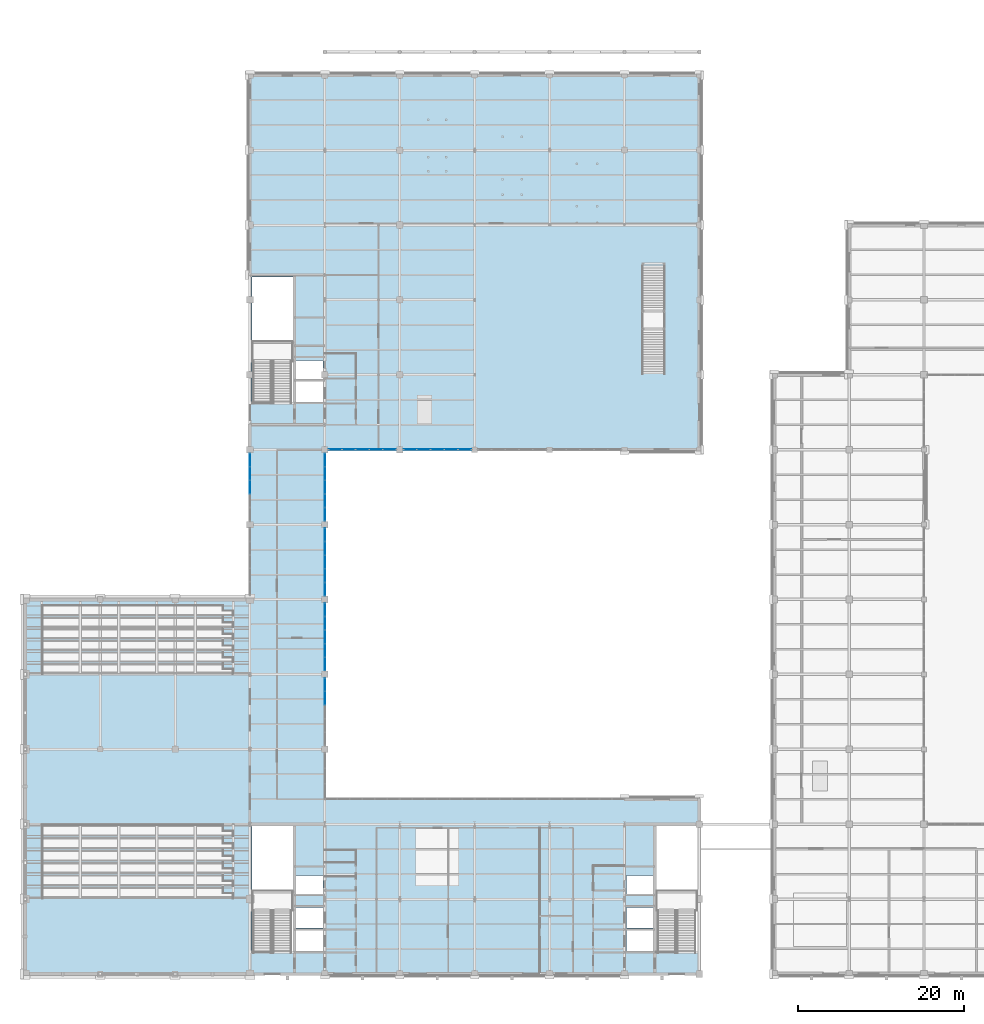
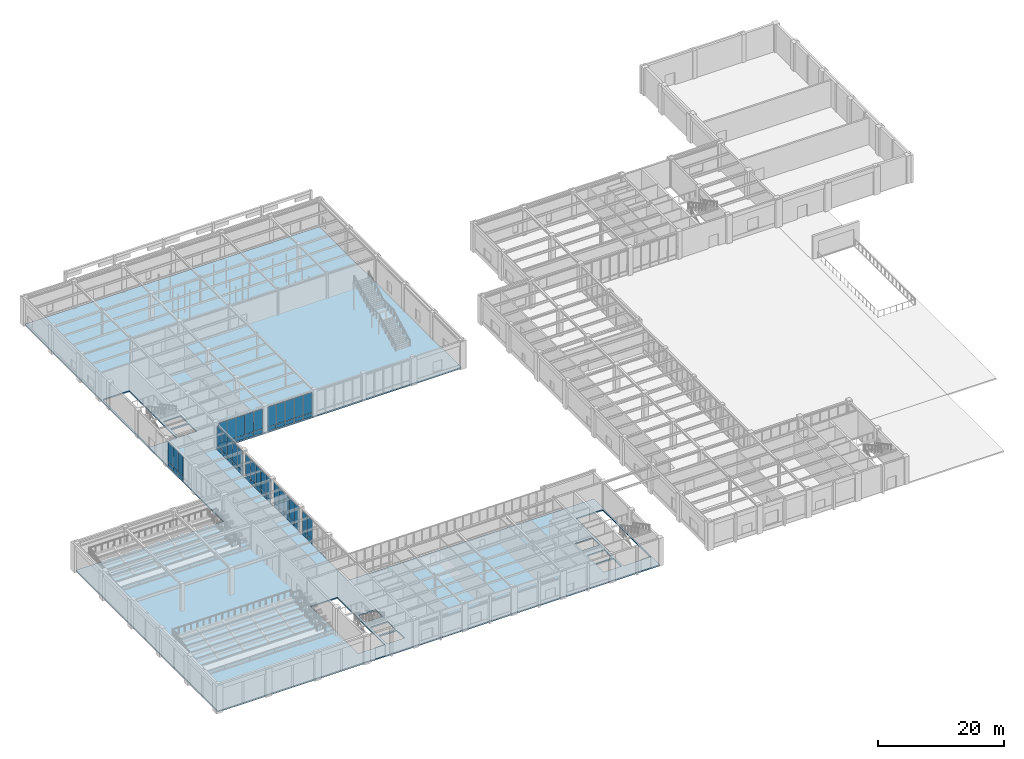
# One storey, part 53 of 77: 60 plates, 1 slab, 8 openings, 7 elements without a shape of their own.
"""IFC4 building model written with IfcOpenShell, lengths in metres."""

from ifc_helpers import new_model, si_unit, direction, frame, origin, origin_2d, place, context, subcontext, project, spatial, polyline, rectangle, outline, extrude, material, layer, layer_set, type_object, element, aggregate, save


model = new_model("IFC4")

# Units and contexts
model_context = context("Model", 3, precision=1e-05, world=origin(), true_north=direction((0.0, 1.0)))
body_context = subcontext(model_context, "Body", "Model", "MODEL_VIEW")
ifc_project = project(units=[si_unit("LENGTHUNIT", "METRE"), si_unit("AREAUNIT", "SQUARE_METRE"), si_unit("VOLUMEUNIT", "CUBIC_METRE"), si_unit("PLANEANGLEUNIT", "RADIAN"), si_unit("MASSUNIT", "GRAM", prefix="KILO")], contexts=[model_context])

# Site, building, storey
site_placement = place(None, origin())
site = spatial("IfcSite", under=ifc_project, at=site_placement, CompositionType="ELEMENT")
building_placement = place(site_placement, origin())
building = spatial("IfcBuilding", under=site, at=building_placement, Name="Lykobir Media Centre", CompositionType="ELEMENT")
storey_placement = place(building_placement, origin())
storey = spatial("IfcBuildingStorey", under=building, at=storey_placement, Name="L00", CompositionType="ELEMENT", Elevation=0.0)

# Curtain wall, plates
ifc_material_1 = material(Name="Anodized Aluminium AW-6060", Category="aluminium")
curtain_wall_type = type_object("IfcCurtainWallType", Name="CW-COURT-A", PredefinedType="NOTDEFINED", material=ifc_material_1)
curtain_wall_1_placement = place(storey_placement, origin())
curtain_wall_1 = element("IfcCurtainWall", 1, at=curtain_wall_1_placement, inside=storey, type_object=curtain_wall_type, Name="Curtain wall CW2-L00-0015", PredefinedType="NOTDEFINED")
ifc_material_2 = material(Name="Low-E Laminated Triple Glazing", Category="glass")
ifc_layer_1 = layer(ifc_material_2, 0.0380859375, Name="Low-E Laminated Triple Glazing")
ifc_layer_set_1 = layer_set([ifc_layer_1], Name="Low-E Laminated Triple Glazing")
plate_type_1 = type_object("IfcPlateType", Name="CWP-GLZ-38", PredefinedType="CURTAIN_PANEL", material=ifc_layer_set_1)
plate_1_placement = place(storey_placement, frame((36.0, 34.759765625, 0.882568359375), z_axis=(0.0, 0.0, 1.0), x_axis=(0.0, -1.0, 0.0)))
plate_1 = element("IfcPlate", 2, at=plate_1_placement, type_object=plate_type_1, Name="CW2-L00-0015 panel 1.2", PredefinedType="CURTAIN_PANEL", context=body_context, shape_type="SweptSolid", body=[
    extrude(rectangle(XDim=1.54052734375, YDim=0.0380859375, at=origin_2d()), origin(), (0.0, 0.0, 1.0), 3.8076171875),
])
plate_2_placement = place(storey_placement, frame((36.0, 33.137939453125, 0.882568359375), z_axis=(0.0, 0.0, 1.0), x_axis=(0.0, -1.0, 0.0)))
plate_2 = element("IfcPlate", 3, at=plate_2_placement, type_object=plate_type_1, Name="CW2-L00-0015 panel 2.2", PredefinedType="CURTAIN_PANEL", context=body_context, shape_type="SweptSolid", body=[
    extrude(rectangle(XDim=1.572998046875, YDim=0.0380859375, at=origin_2d()), origin(), (0.0, 0.0, 1.0), 3.8076171875),
])

curtain_wall_2_placement = place(storey_placement, origin())
curtain_wall_2 = element("IfcCurtainWall", 4, at=curtain_wall_2_placement, inside=storey, type_object=curtain_wall_type, Name="Curtain wall CW2-L00-0016", PredefinedType="NOTDEFINED")
plate_3_placement = place(storey_placement, frame((36.0, 43.759765625, 0.882568359375), z_axis=(0.0, 0.0, 1.0), x_axis=(0.0, -1.0, 0.0)))
plate_3 = element("IfcPlate", 5, at=plate_3_placement, type_object=plate_type_1, Name="CW2-L00-0016 panel 1.2", PredefinedType="CURTAIN_PANEL", context=body_context, shape_type="SweptSolid", body=[
    extrude(rectangle(XDim=1.54052734375, YDim=0.0380859375, at=origin_2d()), origin(), (0.0, 0.0, 1.0), 3.8076171875),
])
plate_4_placement = place(storey_placement, frame((36.0, 42.137939453125, 0.882568359375), z_axis=(0.0, 0.0, 1.0), x_axis=(0.0, -1.0, 0.0)))
plate_4 = element("IfcPlate", 6, at=plate_4_placement, type_object=plate_type_1, Name="CW2-L00-0016 panel 2.2", PredefinedType="CURTAIN_PANEL", context=body_context, shape_type="SweptSolid", body=[
    extrude(rectangle(XDim=1.572998046875, YDim=0.0380859375, at=origin_2d()), origin(), (0.0, 0.0, 1.0), 3.8076171875),
])
plate_5_placement = place(storey_placement, frame((36.0, 40.5, 0.882568359375), z_axis=(0.0, 0.0, 1.0), x_axis=(0.0, -1.0, 0.0)))
plate_5 = element("IfcPlate", 7, at=plate_5_placement, type_object=plate_type_1, Name="CW2-L00-0016 panel 3.2", PredefinedType="CURTAIN_PANEL", context=body_context, shape_type="SweptSolid", body=[
    extrude(rectangle(XDim=1.572998046875, YDim=0.0380859375, at=origin_2d()), origin(), (0.0, 0.0, 1.0), 3.8076171875),
])
plate_6_placement = place(storey_placement, frame((36.0, 38.862060546875, 0.882568359375), z_axis=(0.0, 0.0, 1.0), x_axis=(0.0, -1.0, 0.0)))
plate_6 = element("IfcPlate", 8, at=plate_6_placement, type_object=plate_type_1, Name="CW2-L00-0016 panel 4.2", PredefinedType="CURTAIN_PANEL", context=body_context, shape_type="SweptSolid", body=[
    extrude(rectangle(XDim=1.572998046875, YDim=0.0380859375, at=origin_2d()), origin(), (0.0, 0.0, 1.0), 3.8076171875),
])
plate_7_placement = place(storey_placement, frame((36.0, 37.240234375, 0.882568359375), z_axis=(0.0, 0.0, 1.0), x_axis=(0.0, -1.0, 0.0)))
plate_7 = element("IfcPlate", 9, at=plate_7_placement, type_object=plate_type_1, Name="CW2-L00-0016 panel 5.2", PredefinedType="CURTAIN_PANEL", context=body_context, shape_type="SweptSolid", body=[
    extrude(rectangle(XDim=1.54052734375, YDim=0.0380859375, at=origin_2d()), origin(), (0.0, 0.0, 1.0), 3.8076171875),
])

curtain_wall_3_placement = place(storey_placement, origin())
curtain_wall_3 = element("IfcCurtainWall", 10, at=curtain_wall_3_placement, inside=storey, type_object=curtain_wall_type, Name="Curtain wall CW2-L00-0017", PredefinedType="NOTDEFINED")
plate_8_placement = place(storey_placement, frame((36.0, 52.759765625, 0.882568359375), z_axis=(0.0, 0.0, 1.0), x_axis=(0.0, -1.0, 0.0)))
plate_8 = element("IfcPlate", 11, at=plate_8_placement, type_object=plate_type_1, Name="CW2-L00-0017 panel 1.2", PredefinedType="CURTAIN_PANEL", context=body_context, shape_type="SweptSolid", body=[
    extrude(rectangle(XDim=1.54052734375, YDim=0.0380859375, at=origin_2d()), origin(), (0.0, 0.0, 1.0), 3.8076171875),
])
plate_9_placement = place(storey_placement, frame((36.0, 51.137939453125, 0.882568359375), z_axis=(0.0, 0.0, 1.0), x_axis=(0.0, -1.0, 0.0)))
plate_9 = element("IfcPlate", 12, at=plate_9_placement, type_object=plate_type_1, Name="CW2-L00-0017 panel 2.2", PredefinedType="CURTAIN_PANEL", context=body_context, shape_type="SweptSolid", body=[
    extrude(rectangle(XDim=1.572998046875, YDim=0.0380859375, at=origin_2d()), origin(), (0.0, 0.0, 1.0), 3.8076171875),
])
plate_10_placement = place(storey_placement, frame((36.0, 49.5, 0.882568359375), z_axis=(0.0, 0.0, 1.0), x_axis=(0.0, -1.0, 0.0)))
plate_10 = element("IfcPlate", 13, at=plate_10_placement, type_object=plate_type_1, Name="CW2-L00-0017 panel 3.2", PredefinedType="CURTAIN_PANEL", context=body_context, shape_type="SweptSolid", body=[
    extrude(rectangle(XDim=1.572998046875, YDim=0.0380859375, at=origin_2d()), origin(), (0.0, 0.0, 1.0), 3.8076171875),
])
plate_11_placement = place(storey_placement, frame((36.0, 47.862060546875, 0.882568359375), z_axis=(0.0, 0.0, 1.0), x_axis=(0.0, -1.0, 0.0)))
plate_11 = element("IfcPlate", 14, at=plate_11_placement, type_object=plate_type_1, Name="CW2-L00-0017 panel 4.2", PredefinedType="CURTAIN_PANEL", context=body_context, shape_type="SweptSolid", body=[
    extrude(rectangle(XDim=1.572998046875, YDim=0.0380859375, at=origin_2d()), origin(), (0.0, 0.0, 1.0), 3.8076171875),
])
plate_12_placement = place(storey_placement, frame((36.0, 46.240234375, 0.882568359375), z_axis=(0.0, 0.0, 1.0), x_axis=(0.0, -1.0, 0.0)))
plate_12 = element("IfcPlate", 15, at=plate_12_placement, type_object=plate_type_1, Name="CW2-L00-0017 panel 5.2", PredefinedType="CURTAIN_PANEL", context=body_context, shape_type="SweptSolid", body=[
    extrude(rectangle(XDim=1.54052734375, YDim=0.0380859375, at=origin_2d()), origin(), (0.0, 0.0, 1.0), 3.8076171875),
])

curtain_wall_4_placement = place(storey_placement, origin())
curtain_wall_4 = element("IfcCurtainWall", 16, at=curtain_wall_4_placement, inside=storey, type_object=curtain_wall_type, Name="Curtain wall CW2-L00-0018", PredefinedType="NOTDEFINED")
plate_13_placement = place(storey_placement, frame((36.0, 61.759765625, 0.882568359375), z_axis=(0.0, 0.0, 1.0), x_axis=(0.0, -1.0, 0.0)))
plate_13 = element("IfcPlate", 17, at=plate_13_placement, type_object=plate_type_1, Name="CW2-L00-0018 panel 1.2", PredefinedType="CURTAIN_PANEL", context=body_context, shape_type="SweptSolid", body=[
    extrude(rectangle(XDim=1.54052734375, YDim=0.0380859375, at=origin_2d()), origin(), (0.0, 0.0, 1.0), 3.8076171875),
])
plate_14_placement = place(storey_placement, frame((36.0, 60.137939453125, 0.882568359375), z_axis=(0.0, 0.0, 1.0), x_axis=(0.0, -1.0, 0.0)))
plate_14 = element("IfcPlate", 18, at=plate_14_placement, type_object=plate_type_1, Name="CW2-L00-0018 panel 2.2", PredefinedType="CURTAIN_PANEL", context=body_context, shape_type="SweptSolid", body=[
    extrude(rectangle(XDim=1.572998046875, YDim=0.0380859375, at=origin_2d()), origin(), (0.0, 0.0, 1.0), 3.8076171875),
])
plate_15_placement = place(storey_placement, frame((36.0, 58.5, 0.882568359375), z_axis=(0.0, 0.0, 1.0), x_axis=(0.0, -1.0, 0.0)))
plate_15 = element("IfcPlate", 19, at=plate_15_placement, type_object=plate_type_1, Name="CW2-L00-0018 panel 3.2", PredefinedType="CURTAIN_PANEL", context=body_context, shape_type="SweptSolid", body=[
    extrude(rectangle(XDim=1.572998046875, YDim=0.0380859375, at=origin_2d()), origin(), (0.0, 0.0, 1.0), 3.8076171875),
])
plate_16_placement = place(storey_placement, frame((36.0, 56.862060546875, 0.882568359375), z_axis=(0.0, 0.0, 1.0), x_axis=(0.0, -1.0, 0.0)))
plate_16 = element("IfcPlate", 20, at=plate_16_placement, type_object=plate_type_1, Name="CW2-L00-0018 panel 4.2", PredefinedType="CURTAIN_PANEL", context=body_context, shape_type="SweptSolid", body=[
    extrude(rectangle(XDim=1.572998046875, YDim=0.0380859375, at=origin_2d()), origin(), (0.0, 0.0, 1.0), 3.8076171875),
])
plate_17_placement = place(storey_placement, frame((36.0, 55.240234375, 0.882568359375), z_axis=(0.0, 0.0, 1.0), x_axis=(0.0, -1.0, 0.0)))
plate_17 = element("IfcPlate", 21, at=plate_17_placement, type_object=plate_type_1, Name="CW2-L00-0018 panel 5.2", PredefinedType="CURTAIN_PANEL", context=body_context, shape_type="SweptSolid", body=[
    extrude(rectangle(XDim=1.54052734375, YDim=0.0380859375, at=origin_2d()), origin(), (0.0, 0.0, 1.0), 3.8076171875),
])

curtain_wall_5_placement = place(storey_placement, origin())
curtain_wall_5 = element("IfcCurtainWall", 22, at=curtain_wall_5_placement, inside=storey, type_object=curtain_wall_type, Name="Curtain wall CW2-L00-0019", PredefinedType="NOTDEFINED")
plate_18_placement = place(storey_placement, frame((43.759765625, 63.0, 0.882568359375), z_axis=(0.0, 0.0, 1.0), x_axis=(-1.0, 0.0, 0.0)))
plate_18 = element("IfcPlate", 23, at=plate_18_placement, type_object=plate_type_1, Name="CW2-L00-0019 panel 1.2", PredefinedType="CURTAIN_PANEL", context=body_context, shape_type="SweptSolid", body=[
    extrude(rectangle(XDim=1.54052734375, YDim=0.0380859375, at=origin_2d()), origin(), (0.0, 0.0, 1.0), 3.847412109375),
])
plate_19_placement = place(storey_placement, frame((42.137939453125, 63.0, 0.882568359375), z_axis=(0.0, 0.0, 1.0), x_axis=(-1.0, 0.0, 0.0)))
plate_19 = element("IfcPlate", 24, at=plate_19_placement, type_object=plate_type_1, Name="CW2-L00-0019 panel 2.2", PredefinedType="CURTAIN_PANEL", context=body_context, shape_type="SweptSolid", body=[
    extrude(rectangle(XDim=1.572998046875, YDim=0.0380859375, at=origin_2d()), origin(), (0.0, 0.0, 1.0), 3.847412109375),
])
plate_20_placement = place(storey_placement, frame((40.5, 63.0, 0.882568359375), z_axis=(0.0, 0.0, 1.0), x_axis=(-1.0, 0.0, 0.0)))
plate_20 = element("IfcPlate", 25, at=plate_20_placement, type_object=plate_type_1, Name="CW2-L00-0019 panel 3.2", PredefinedType="CURTAIN_PANEL", context=body_context, shape_type="SweptSolid", body=[
    extrude(rectangle(XDim=1.572998046875, YDim=0.0380859375, at=origin_2d()), origin(), (0.0, 0.0, 1.0), 3.847412109375),
])
plate_21_placement = place(storey_placement, frame((38.862060546875, 63.0, 0.882568359375), z_axis=(0.0, 0.0, 1.0), x_axis=(-1.0, 0.0, 0.0)))
plate_21 = element("IfcPlate", 26, at=plate_21_placement, type_object=plate_type_1, Name="CW2-L00-0019 panel 4.2", PredefinedType="CURTAIN_PANEL", context=body_context, shape_type="SweptSolid", body=[
    extrude(rectangle(XDim=1.572998046875, YDim=0.0380859375, at=origin_2d()), origin(), (0.0, 0.0, 1.0), 3.847412109375),
])
plate_22_placement = place(storey_placement, frame((37.240234375, 63.0, 0.882568359375), z_axis=(0.0, 0.0, 1.0), x_axis=(-1.0, 0.0, 0.0)))
plate_22 = element("IfcPlate", 27, at=plate_22_placement, type_object=plate_type_1, Name="CW2-L00-0019 panel 5.2", PredefinedType="CURTAIN_PANEL", context=body_context, shape_type="SweptSolid", body=[
    extrude(rectangle(XDim=1.54052734375, YDim=0.0380859375, at=origin_2d()), origin(), (0.0, 0.0, 1.0), 3.847412109375),
])

curtain_wall_6_placement = place(storey_placement, origin())
curtain_wall_6 = element("IfcCurtainWall", 28, at=curtain_wall_6_placement, inside=storey, type_object=curtain_wall_type, Name="Curtain wall CW2-L00-0020", PredefinedType="NOTDEFINED")
plate_23_placement = place(storey_placement, frame((52.8046875, 63.0, 0.882568359375), z_axis=(0.0, 0.0, 1.0), x_axis=(-1.0, 0.0, 0.0)))
plate_23 = element("IfcPlate", 29, at=plate_23_placement, type_object=plate_type_1, Name="CW2-L00-0020 panel 1.2", PredefinedType="CURTAIN_PANEL", context=body_context, shape_type="SweptSolid", body=[
    extrude(rectangle(XDim=1.550537109375, YDim=0.0380859375, at=origin_2d()), origin(), (0.0, 0.0, 1.0), 3.847412109375),
])
plate_24_placement = place(storey_placement, frame((51.173095703125, 63.0, 0.882568359375), z_axis=(0.0, 0.0, 1.0), x_axis=(-1.0, 0.0, 0.0)))
plate_24 = element("IfcPlate", 30, at=plate_24_placement, type_object=plate_type_1, Name="CW2-L00-0020 panel 2.2", PredefinedType="CURTAIN_PANEL", context=body_context, shape_type="SweptSolid", body=[
    extrude(rectangle(XDim=1.5830078125, YDim=0.0380859375, at=origin_2d()), origin(), (0.0, 0.0, 1.0), 3.847412109375),
])
plate_25_placement = place(storey_placement, frame((49.52490234375, 63.0, 0.882568359375), z_axis=(0.0, 0.0, 1.0), x_axis=(-1.0, 0.0, 0.0)))
plate_25 = element("IfcPlate", 31, at=plate_25_placement, type_object=plate_type_1, Name="CW2-L00-0020 panel 3.2", PredefinedType="CURTAIN_PANEL", context=body_context, shape_type="SweptSolid", body=[
    extrude(rectangle(XDim=1.5830078125, YDim=0.0380859375, at=origin_2d()), origin(), (0.0, 0.0, 1.0), 3.847412109375),
])
plate_26_placement = place(storey_placement, frame((47.876953125, 63.0, 0.882568359375), z_axis=(0.0, 0.0, 1.0), x_axis=(-1.0, 0.0, 0.0)))
plate_26 = element("IfcPlate", 32, at=plate_26_placement, type_object=plate_type_1, Name="CW2-L00-0020 panel 4.2", PredefinedType="CURTAIN_PANEL", context=body_context, shape_type="SweptSolid", body=[
    extrude(rectangle(XDim=1.5830078125, YDim=0.0380859375, at=origin_2d()), origin(), (0.0, 0.0, 1.0), 3.847412109375),
])
plate_27_placement = place(storey_placement, frame((46.2451171875, 63.0, 0.882568359375), z_axis=(0.0, 0.0, 1.0), x_axis=(-1.0, 0.0, 0.0)))
plate_27 = element("IfcPlate", 33, at=plate_27_placement, type_object=plate_type_1, Name="CW2-L00-0020 panel 5.2", PredefinedType="CURTAIN_PANEL", context=body_context, shape_type="SweptSolid", body=[
    extrude(rectangle(XDim=1.550537109375, YDim=0.0380859375, at=origin_2d()), origin(), (0.0, 0.0, 1.0), 3.847412109375),
])

curtain_wall_7_placement = place(storey_placement, origin())
curtain_wall_7 = element("IfcCurtainWall", 34, at=curtain_wall_7_placement, inside=storey, type_object=curtain_wall_type, Name="Curtain wall CW2-L00-0024", PredefinedType="NOTDEFINED")
plate_28_placement = place(storey_placement, frame((27.0, 58.5, 0.882568359375), z_axis=(0.0, 0.0, 1.0), x_axis=(0.0, 1.0, 0.0)))
plate_28 = element("IfcPlate", 35, at=plate_28_placement, type_object=plate_type_1, Name="CW2-L00-0024 panel 3.2", PredefinedType="CURTAIN_PANEL", context=body_context, shape_type="SweptSolid", body=[
    extrude(rectangle(XDim=1.572998046875, YDim=0.0380859375, at=origin_2d()), origin(), (0.0, 0.0, 1.0), 3.847412109375),
])
plate_29_placement = place(storey_placement, frame((27.0, 60.137939453125, 0.882568359375), z_axis=(0.0, 0.0, 1.0), x_axis=(0.0, 1.0, 0.0)))
plate_29 = element("IfcPlate", 36, at=plate_29_placement, type_object=plate_type_1, Name="CW2-L00-0024 panel 4.2", PredefinedType="CURTAIN_PANEL", context=body_context, shape_type="SweptSolid", body=[
    extrude(rectangle(XDim=1.572998046875, YDim=0.0380859375, at=origin_2d()), origin(), (0.0, 0.0, 1.0), 3.847412109375),
])
plate_30_placement = place(storey_placement, frame((27.0, 61.759765625, 0.882568359375), z_axis=(0.0, 0.0, 1.0), x_axis=(0.0, 1.0, 0.0)))
plate_30 = element("IfcPlate", 37, at=plate_30_placement, type_object=plate_type_1, Name="CW2-L00-0024 panel 5.2", PredefinedType="CURTAIN_PANEL", context=body_context, shape_type="SweptSolid", body=[
    extrude(rectangle(XDim=1.54052734375, YDim=0.0380859375, at=origin_2d()), origin(), (0.0, 0.0, 1.0), 3.847412109375),
])

# Plate
ifc_material_3 = material(Name="Glazed Turquoise Terracotta", Category="masonry")
ifc_layer_2 = layer(ifc_material_3, 0.06005859375, Name="Glazed Turquoise Terracotta")
ifc_layer_set_2 = layer_set([ifc_layer_2], Name="Glazed Turquoise Terracotta")
plate_type_2 = type_object("IfcPlateType", Name="CWP-SPN-60", PredefinedType="CURTAIN_PANEL", material=ifc_layer_set_2)
plate_31_placement = place(storey_placement, frame((36.0, 34.759765625, 0.06494140625), z_axis=(0.0, 0.0, 1.0), x_axis=(0.0, -1.0, 0.0)))
plate_31 = element("IfcPlate", 38, at=plate_31_placement, type_object=plate_type_2, Name="CW2-L00-0015 panel 1.1", PredefinedType="CURTAIN_PANEL", context=body_context, shape_type="SweptSolid", body=[
    extrude(rectangle(XDim=1.54052734375, YDim=0.06005859375, at=origin_2d()), origin(), (0.0, 0.0, 1.0), 0.75244140625),
])

plate_32_placement = place(storey_placement, frame((36.0, 33.137939453125, 0.06494140625), z_axis=(0.0, 0.0, 1.0), x_axis=(0.0, -1.0, 0.0)))
plate_32 = element("IfcPlate", 39, at=plate_32_placement, type_object=plate_type_2, Name="CW2-L00-0015 panel 2.1", PredefinedType="CURTAIN_PANEL", context=body_context, shape_type="SweptSolid", body=[
    extrude(rectangle(XDim=1.572998046875, YDim=0.06005859375, at=origin_2d()), origin(), (0.0, 0.0, 1.0), 0.75244140625),
])

aggregate(curtain_wall_1, [plate_31, plate_1, plate_32, plate_2])

plate_33_placement = place(storey_placement, frame((36.0, 43.759765625, 0.06494140625), z_axis=(0.0, 0.0, 1.0), x_axis=(0.0, -1.0, 0.0)))
plate_33 = element("IfcPlate", 40, at=plate_33_placement, type_object=plate_type_2, Name="CW2-L00-0016 panel 1.1", PredefinedType="CURTAIN_PANEL", context=body_context, shape_type="SweptSolid", body=[
    extrude(rectangle(XDim=1.54052734375, YDim=0.06005859375, at=origin_2d()), origin(), (0.0, 0.0, 1.0), 0.75244140625),
])

plate_34_placement = place(storey_placement, frame((36.0, 42.137939453125, 0.06494140625), z_axis=(0.0, 0.0, 1.0), x_axis=(0.0, -1.0, 0.0)))
plate_34 = element("IfcPlate", 41, at=plate_34_placement, type_object=plate_type_2, Name="CW2-L00-0016 panel 2.1", PredefinedType="CURTAIN_PANEL", context=body_context, shape_type="SweptSolid", body=[
    extrude(rectangle(XDim=1.572998046875, YDim=0.06005859375, at=origin_2d()), origin(), (0.0, 0.0, 1.0), 0.75244140625),
])

plate_35_placement = place(storey_placement, frame((36.0, 40.5, 0.06494140625), z_axis=(0.0, 0.0, 1.0), x_axis=(0.0, -1.0, 0.0)))
plate_35 = element("IfcPlate", 42, at=plate_35_placement, type_object=plate_type_2, Name="CW2-L00-0016 panel 3.1", PredefinedType="CURTAIN_PANEL", context=body_context, shape_type="SweptSolid", body=[
    extrude(rectangle(XDim=1.572998046875, YDim=0.06005859375, at=origin_2d()), origin(), (0.0, 0.0, 1.0), 0.75244140625),
])

plate_36_placement = place(storey_placement, frame((36.0, 38.862060546875, 0.06494140625), z_axis=(0.0, 0.0, 1.0), x_axis=(0.0, -1.0, 0.0)))
plate_36 = element("IfcPlate", 43, at=plate_36_placement, type_object=plate_type_2, Name="CW2-L00-0016 panel 4.1", PredefinedType="CURTAIN_PANEL", context=body_context, shape_type="SweptSolid", body=[
    extrude(rectangle(XDim=1.572998046875, YDim=0.06005859375, at=origin_2d()), origin(), (0.0, 0.0, 1.0), 0.75244140625),
])

plate_37_placement = place(storey_placement, frame((36.0, 37.240234375, 0.06494140625), z_axis=(0.0, 0.0, 1.0), x_axis=(0.0, -1.0, 0.0)))
plate_37 = element("IfcPlate", 44, at=plate_37_placement, type_object=plate_type_2, Name="CW2-L00-0016 panel 5.1", PredefinedType="CURTAIN_PANEL", context=body_context, shape_type="SweptSolid", body=[
    extrude(rectangle(XDim=1.54052734375, YDim=0.06005859375, at=origin_2d()), origin(), (0.0, 0.0, 1.0), 0.75244140625),
])

aggregate(curtain_wall_2, [plate_33, plate_3, plate_34, plate_4, plate_35, plate_5, plate_36, plate_6, plate_37, plate_7])

plate_38_placement = place(storey_placement, frame((36.0, 52.759765625, 0.06494140625), z_axis=(0.0, 0.0, 1.0), x_axis=(0.0, -1.0, 0.0)))
plate_38 = element("IfcPlate", 45, at=plate_38_placement, type_object=plate_type_2, Name="CW2-L00-0017 panel 1.1", PredefinedType="CURTAIN_PANEL", context=body_context, shape_type="SweptSolid", body=[
    extrude(rectangle(XDim=1.54052734375, YDim=0.06005859375, at=origin_2d()), origin(), (0.0, 0.0, 1.0), 0.75244140625),
])

plate_39_placement = place(storey_placement, frame((36.0, 51.137939453125, 0.06494140625), z_axis=(0.0, 0.0, 1.0), x_axis=(0.0, -1.0, 0.0)))
plate_39 = element("IfcPlate", 46, at=plate_39_placement, type_object=plate_type_2, Name="CW2-L00-0017 panel 2.1", PredefinedType="CURTAIN_PANEL", context=body_context, shape_type="SweptSolid", body=[
    extrude(rectangle(XDim=1.572998046875, YDim=0.06005859375, at=origin_2d()), origin(), (0.0, 0.0, 1.0), 0.75244140625),
])

plate_40_placement = place(storey_placement, frame((36.0, 49.5, 0.06494140625), z_axis=(0.0, 0.0, 1.0), x_axis=(0.0, -1.0, 0.0)))
plate_40 = element("IfcPlate", 47, at=plate_40_placement, type_object=plate_type_2, Name="CW2-L00-0017 panel 3.1", PredefinedType="CURTAIN_PANEL", context=body_context, shape_type="SweptSolid", body=[
    extrude(rectangle(XDim=1.572998046875, YDim=0.06005859375, at=origin_2d()), origin(), (0.0, 0.0, 1.0), 0.75244140625),
])

plate_41_placement = place(storey_placement, frame((36.0, 47.862060546875, 0.06494140625), z_axis=(0.0, 0.0, 1.0), x_axis=(0.0, -1.0, 0.0)))
plate_41 = element("IfcPlate", 48, at=plate_41_placement, type_object=plate_type_2, Name="CW2-L00-0017 panel 4.1", PredefinedType="CURTAIN_PANEL", context=body_context, shape_type="SweptSolid", body=[
    extrude(rectangle(XDim=1.572998046875, YDim=0.06005859375, at=origin_2d()), origin(), (0.0, 0.0, 1.0), 0.75244140625),
])

plate_42_placement = place(storey_placement, frame((36.0, 46.240234375, 0.06494140625), z_axis=(0.0, 0.0, 1.0), x_axis=(0.0, -1.0, 0.0)))
plate_42 = element("IfcPlate", 49, at=plate_42_placement, type_object=plate_type_2, Name="CW2-L00-0017 panel 5.1", PredefinedType="CURTAIN_PANEL", context=body_context, shape_type="SweptSolid", body=[
    extrude(rectangle(XDim=1.54052734375, YDim=0.06005859375, at=origin_2d()), origin(), (0.0, 0.0, 1.0), 0.75244140625),
])

aggregate(curtain_wall_3, [plate_38, plate_8, plate_39, plate_9, plate_40, plate_10, plate_41, plate_11, plate_42, plate_12])

plate_43_placement = place(storey_placement, frame((36.0, 61.759765625, 0.06494140625), z_axis=(0.0, 0.0, 1.0), x_axis=(0.0, -1.0, 0.0)))
plate_43 = element("IfcPlate", 50, at=plate_43_placement, type_object=plate_type_2, Name="CW2-L00-0018 panel 1.1", PredefinedType="CURTAIN_PANEL", context=body_context, shape_type="SweptSolid", body=[
    extrude(rectangle(XDim=1.54052734375, YDim=0.06005859375, at=origin_2d()), origin(), (0.0, 0.0, 1.0), 0.75244140625),
])

plate_44_placement = place(storey_placement, frame((36.0, 60.137939453125, 0.06494140625), z_axis=(0.0, 0.0, 1.0), x_axis=(0.0, -1.0, 0.0)))
plate_44 = element("IfcPlate", 51, at=plate_44_placement, type_object=plate_type_2, Name="CW2-L00-0018 panel 2.1", PredefinedType="CURTAIN_PANEL", context=body_context, shape_type="SweptSolid", body=[
    extrude(rectangle(XDim=1.572998046875, YDim=0.06005859375, at=origin_2d()), origin(), (0.0, 0.0, 1.0), 0.75244140625),
])

plate_45_placement = place(storey_placement, frame((36.0, 58.5, 0.06494140625), z_axis=(0.0, 0.0, 1.0), x_axis=(0.0, -1.0, 0.0)))
plate_45 = element("IfcPlate", 52, at=plate_45_placement, type_object=plate_type_2, Name="CW2-L00-0018 panel 3.1", PredefinedType="CURTAIN_PANEL", context=body_context, shape_type="SweptSolid", body=[
    extrude(rectangle(XDim=1.572998046875, YDim=0.06005859375, at=origin_2d()), origin(), (0.0, 0.0, 1.0), 0.75244140625),
])

plate_46_placement = place(storey_placement, frame((36.0, 56.862060546875, 0.06494140625), z_axis=(0.0, 0.0, 1.0), x_axis=(0.0, -1.0, 0.0)))
plate_46 = element("IfcPlate", 53, at=plate_46_placement, type_object=plate_type_2, Name="CW2-L00-0018 panel 4.1", PredefinedType="CURTAIN_PANEL", context=body_context, shape_type="SweptSolid", body=[
    extrude(rectangle(XDim=1.572998046875, YDim=0.06005859375, at=origin_2d()), origin(), (0.0, 0.0, 1.0), 0.75244140625),
])

plate_47_placement = place(storey_placement, frame((36.0, 55.240234375, 0.06494140625), z_axis=(0.0, 0.0, 1.0), x_axis=(0.0, -1.0, 0.0)))
plate_47 = element("IfcPlate", 54, at=plate_47_placement, type_object=plate_type_2, Name="CW2-L00-0018 panel 5.1", PredefinedType="CURTAIN_PANEL", context=body_context, shape_type="SweptSolid", body=[
    extrude(rectangle(XDim=1.54052734375, YDim=0.06005859375, at=origin_2d()), origin(), (0.0, 0.0, 1.0), 0.75244140625),
])

aggregate(curtain_wall_4, [plate_43, plate_13, plate_44, plate_14, plate_45, plate_15, plate_46, plate_16, plate_47, plate_17])

plate_48_placement = place(storey_placement, frame((43.759765625, 63.0, 0.06494140625), z_axis=(0.0, 0.0, 1.0), x_axis=(-1.0, 0.0, 0.0)))
plate_48 = element("IfcPlate", 55, at=plate_48_placement, type_object=plate_type_2, Name="CW2-L00-0019 panel 1.1", PredefinedType="CURTAIN_PANEL", context=body_context, shape_type="SweptSolid", body=[
    extrude(rectangle(XDim=1.54052734375, YDim=0.06005859375, at=origin_2d()), origin(), (0.0, 0.0, 1.0), 0.75244140625),
])

plate_49_placement = place(storey_placement, frame((42.137939453125, 63.0, 0.06494140625), z_axis=(0.0, 0.0, 1.0), x_axis=(-1.0, 0.0, 0.0)))
plate_49 = element("IfcPlate", 56, at=plate_49_placement, type_object=plate_type_2, Name="CW2-L00-0019 panel 2.1", PredefinedType="CURTAIN_PANEL", context=body_context, shape_type="SweptSolid", body=[
    extrude(rectangle(XDim=1.572998046875, YDim=0.06005859375, at=origin_2d()), origin(), (0.0, 0.0, 1.0), 0.75244140625),
])

plate_50_placement = place(storey_placement, frame((40.5, 63.0, 0.06494140625), z_axis=(0.0, 0.0, 1.0), x_axis=(-1.0, 0.0, 0.0)))
plate_50 = element("IfcPlate", 57, at=plate_50_placement, type_object=plate_type_2, Name="CW2-L00-0019 panel 3.1", PredefinedType="CURTAIN_PANEL", context=body_context, shape_type="SweptSolid", body=[
    extrude(rectangle(XDim=1.572998046875, YDim=0.06005859375, at=origin_2d()), origin(), (0.0, 0.0, 1.0), 0.75244140625),
])

plate_51_placement = place(storey_placement, frame((38.862060546875, 63.0, 0.06494140625), z_axis=(0.0, 0.0, 1.0), x_axis=(-1.0, 0.0, 0.0)))
plate_51 = element("IfcPlate", 58, at=plate_51_placement, type_object=plate_type_2, Name="CW2-L00-0019 panel 4.1", PredefinedType="CURTAIN_PANEL", context=body_context, shape_type="SweptSolid", body=[
    extrude(rectangle(XDim=1.572998046875, YDim=0.06005859375, at=origin_2d()), origin(), (0.0, 0.0, 1.0), 0.75244140625),
])

plate_52_placement = place(storey_placement, frame((37.240234375, 63.0, 0.06494140625), z_axis=(0.0, 0.0, 1.0), x_axis=(-1.0, 0.0, 0.0)))
plate_52 = element("IfcPlate", 59, at=plate_52_placement, type_object=plate_type_2, Name="CW2-L00-0019 panel 5.1", PredefinedType="CURTAIN_PANEL", context=body_context, shape_type="SweptSolid", body=[
    extrude(rectangle(XDim=1.54052734375, YDim=0.06005859375, at=origin_2d()), origin(), (0.0, 0.0, 1.0), 0.75244140625),
])

aggregate(curtain_wall_5, [plate_48, plate_18, plate_49, plate_19, plate_50, plate_20, plate_51, plate_21, plate_52, plate_22])

plate_53_placement = place(storey_placement, frame((52.8046875, 63.0, 0.06494140625), z_axis=(0.0, 0.0, 1.0), x_axis=(-1.0, 0.0, 0.0)))
plate_53 = element("IfcPlate", 60, at=plate_53_placement, type_object=plate_type_2, Name="CW2-L00-0020 panel 1.1", PredefinedType="CURTAIN_PANEL", context=body_context, shape_type="SweptSolid", body=[
    extrude(rectangle(XDim=1.550537109375, YDim=0.06005859375, at=origin_2d()), origin(), (0.0, 0.0, 1.0), 0.75244140625),
])

plate_54_placement = place(storey_placement, frame((51.173095703125, 63.0, 0.06494140625), z_axis=(0.0, 0.0, 1.0), x_axis=(-1.0, 0.0, 0.0)))
plate_54 = element("IfcPlate", 61, at=plate_54_placement, type_object=plate_type_2, Name="CW2-L00-0020 panel 2.1", PredefinedType="CURTAIN_PANEL", context=body_context, shape_type="SweptSolid", body=[
    extrude(rectangle(XDim=1.5830078125, YDim=0.06005859375, at=origin_2d()), origin(), (0.0, 0.0, 1.0), 0.75244140625),
])

plate_55_placement = place(storey_placement, frame((49.52490234375, 63.0, 0.06494140625), z_axis=(0.0, 0.0, 1.0), x_axis=(-1.0, 0.0, 0.0)))
plate_55 = element("IfcPlate", 62, at=plate_55_placement, type_object=plate_type_2, Name="CW2-L00-0020 panel 3.1", PredefinedType="CURTAIN_PANEL", context=body_context, shape_type="SweptSolid", body=[
    extrude(rectangle(XDim=1.5830078125, YDim=0.06005859375, at=origin_2d()), origin(), (0.0, 0.0, 1.0), 0.75244140625),
])

plate_56_placement = place(storey_placement, frame((47.876953125, 63.0, 0.06494140625), z_axis=(0.0, 0.0, 1.0), x_axis=(-1.0, 0.0, 0.0)))
plate_56 = element("IfcPlate", 63, at=plate_56_placement, type_object=plate_type_2, Name="CW2-L00-0020 panel 4.1", PredefinedType="CURTAIN_PANEL", context=body_context, shape_type="SweptSolid", body=[
    extrude(rectangle(XDim=1.5830078125, YDim=0.06005859375, at=origin_2d()), origin(), (0.0, 0.0, 1.0), 0.75244140625),
])

plate_57_placement = place(storey_placement, frame((46.2451171875, 63.0, 0.06494140625), z_axis=(0.0, 0.0, 1.0), x_axis=(-1.0, 0.0, 0.0)))
plate_57 = element("IfcPlate", 64, at=plate_57_placement, type_object=plate_type_2, Name="CW2-L00-0020 panel 5.1", PredefinedType="CURTAIN_PANEL", context=body_context, shape_type="SweptSolid", body=[
    extrude(rectangle(XDim=1.550537109375, YDim=0.06005859375, at=origin_2d()), origin(), (0.0, 0.0, 1.0), 0.75244140625),
])

aggregate(curtain_wall_6, [plate_53, plate_23, plate_54, plate_24, plate_55, plate_25, plate_56, plate_26, plate_57, plate_27])

plate_58_placement = place(storey_placement, frame((27.0, 58.5, 0.06494140625), z_axis=(0.0, 0.0, 1.0), x_axis=(0.0, 1.0, 0.0)))
plate_58 = element("IfcPlate", 65, at=plate_58_placement, type_object=plate_type_2, Name="CW2-L00-0024 panel 3.1", PredefinedType="CURTAIN_PANEL", context=body_context, shape_type="SweptSolid", body=[
    extrude(rectangle(XDim=1.572998046875, YDim=0.06005859375, at=origin_2d()), origin(), (0.0, 0.0, 1.0), 0.75244140625),
])

plate_59_placement = place(storey_placement, frame((27.0, 60.137939453125, 0.06494140625), z_axis=(0.0, 0.0, 1.0), x_axis=(0.0, 1.0, 0.0)))
plate_59 = element("IfcPlate", 66, at=plate_59_placement, type_object=plate_type_2, Name="CW2-L00-0024 panel 4.1", PredefinedType="CURTAIN_PANEL", context=body_context, shape_type="SweptSolid", body=[
    extrude(rectangle(XDim=1.572998046875, YDim=0.06005859375, at=origin_2d()), origin(), (0.0, 0.0, 1.0), 0.75244140625),
])

plate_60_placement = place(storey_placement, frame((27.0, 61.759765625, 0.06494140625), z_axis=(0.0, 0.0, 1.0), x_axis=(0.0, 1.0, 0.0)))
plate_60 = element("IfcPlate", 67, at=plate_60_placement, type_object=plate_type_2, Name="CW2-L00-0024 panel 5.1", PredefinedType="CURTAIN_PANEL", context=body_context, shape_type="SweptSolid", body=[
    extrude(rectangle(XDim=1.54052734375, YDim=0.06005859375, at=origin_2d()), origin(), (0.0, 0.0, 1.0), 0.75244140625),
])

aggregate(curtain_wall_7, [plate_58, plate_28, plate_59, plate_29, plate_60, plate_30])

# Slab, openings
ifc_material_4 = material(Name="Concrete C30/37", Category="concrete")
ifc_layer_3 = layer(ifc_material_4, 0.25, Name="Concrete C30/37")
ifc_layer_set_3 = layer_set([ifc_layer_3], Name="Concrete C30/37")
slab_type = type_object("IfcSlabType", Name="FS-250", PredefinedType="FLOOR", material=ifc_layer_set_3)
slab_placement = place(storey_placement, frame((0.0, 0.0, -0.25)))
slab = element("IfcSlab", 68, at=slab_placement, inside=storey, type_object=slab_type, Name="L00 structural slab 1", PredefinedType="FLOOR", context=body_context, shape_type="SweptSolid", body=[
    extrude(outline(polyline([(81.0, 21.0), (36.0, 21.0), (36.0, 63.0), (81.0, 63.0), (81.0, 108.0), (27.0, 108.0), (27.0, 63.0), (27.0, 45.0), (0.0, 45.0), (0.0, 27.0), (0.0, 0.0), (27.0, 0.0), (81.0, 0.0), (81.0, 21.0)]), holes=[polyline([(32.14990234375, 2.64990234375), (27.25, 2.64990234375), (27.25, 17.75), (32.14990234375, 17.75), (32.14990234375, 2.64990234375)]), polyline([(80.75, 2.64990234375), (75.85009765625, 2.64990234375), (75.85009765625, 17.75), (80.75, 17.75), (80.75, 2.64990234375)]), polyline([(32.14990234375, 68.64990234375), (27.25, 68.64990234375), (27.25, 83.75), (32.14990234375, 83.75), (32.14990234375, 68.64990234375)])]), origin(), (0.0, 0.0, 1.0), 0.25),
])
opening_1_placement = place(slab_placement, frame((34.14990234375, 3.949951171875, 0.0)))
element("IfcOpeningElement", 69, at=opening_1_placement, cuts=slab, Name="Shaft opening C1-pass_shaft-L00", PredefinedType="OPENING", context=body_context, shape_type="SweptSolid", body=[
    extrude(rectangle(XDim=3.199951171875, YDim=2.5, at=origin_2d()), origin(), (0.0, 0.0, 1.0), 0.25),
])
opening_2_placement = place(slab_placement, frame((34.14990234375, 6.75, 0.0)))
element("IfcOpeningElement", 70, at=opening_2_placement, cuts=slab, Name="Shaft opening C1-ff_shaft-L00", PredefinedType="OPENING", context=body_context, shape_type="SweptSolid", body=[
    extrude(rectangle(XDim=3.199951171875, YDim=2.5, at=origin_2d()), origin(), (0.0, 0.0, 1.0), 0.25),
])
opening_3_placement = place(slab_placement, frame((34.14990234375, 10.699951171875, 0.0)))
element("IfcOpeningElement", 71, at=opening_3_placement, cuts=slab, Name="Shaft opening C1-riser_shaft-L00", PredefinedType="OPENING", context=body_context, shape_type="SweptSolid", body=[
    extrude(rectangle(XDim=3.199951171875, YDim=2.199951171875, at=origin_2d()), origin(), (0.0, 0.0, 1.0), 0.25),
])
opening_4_placement = place(slab_placement, frame((73.85009765625, 3.949951171875, 0.0)))
element("IfcOpeningElement", 72, at=opening_4_placement, cuts=slab, Name="Shaft opening C2-pass_shaft-L00", PredefinedType="OPENING", context=body_context, shape_type="SweptSolid", body=[
    extrude(rectangle(XDim=3.199951171875, YDim=2.5, at=origin_2d()), origin(), (0.0, 0.0, 1.0), 0.25),
])
opening_5_placement = place(slab_placement, frame((73.85009765625, 6.75, 0.0)))
element("IfcOpeningElement", 73, at=opening_5_placement, cuts=slab, Name="Shaft opening C2-ff_shaft-L00", PredefinedType="OPENING", context=body_context, shape_type="SweptSolid", body=[
    extrude(rectangle(XDim=3.199951171875, YDim=2.5, at=origin_2d()), origin(), (0.0, 0.0, 1.0), 0.25),
])
opening_6_placement = place(slab_placement, frame((73.85009765625, 10.699951171875, 0.0)))
element("IfcOpeningElement", 74, at=opening_6_placement, cuts=slab, Name="Shaft opening C2-riser_shaft-L00", PredefinedType="OPENING", context=body_context, shape_type="SweptSolid", body=[
    extrude(rectangle(XDim=3.199951171875, YDim=2.199951171875, at=origin_2d()), origin(), (0.0, 0.0, 1.0), 0.25),
])
opening_7_placement = place(slab_placement, frame((34.14990234375, 69.949951171875, 0.0)))
element("IfcOpeningElement", 75, at=opening_7_placement, cuts=slab, Name="Shaft opening C3-pass_shaft-L00", PredefinedType="OPENING", context=body_context, shape_type="SweptSolid", body=[
    extrude(rectangle(XDim=3.199951171875, YDim=2.5, at=origin_2d()), origin(), (0.0, 0.0, 1.0), 0.25),
])
opening_8_placement = place(slab_placement, frame((34.14990234375, 72.60009765625, 0.0)))
element("IfcOpeningElement", 76, at=opening_8_placement, cuts=slab, Name="Shaft opening C3-riser_shaft-L00", PredefinedType="OPENING", context=body_context, shape_type="SweptSolid", body=[
    extrude(rectangle(XDim=3.199951171875, YDim=2.199951171875, at=origin_2d()), origin(), (0.0, 0.0, 1.0), 0.25),
])

save(model, "model.ifc")
